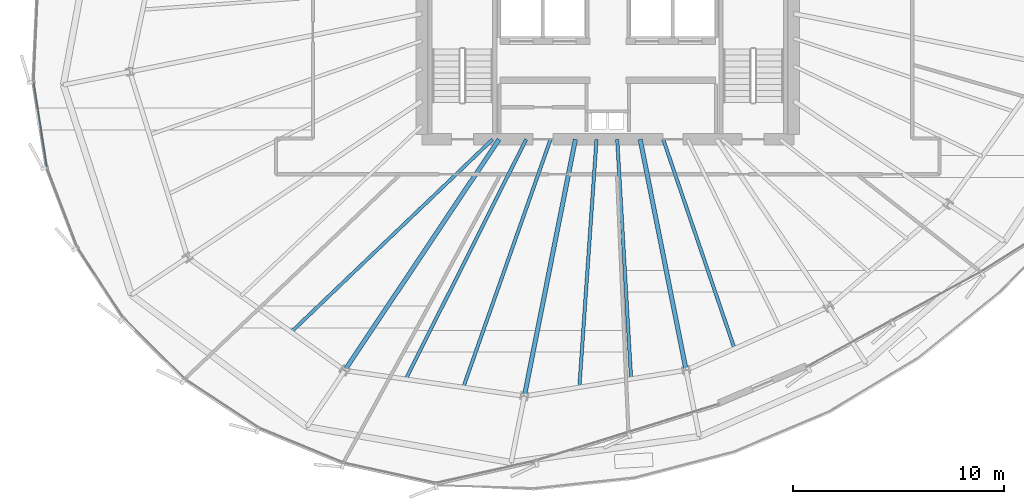
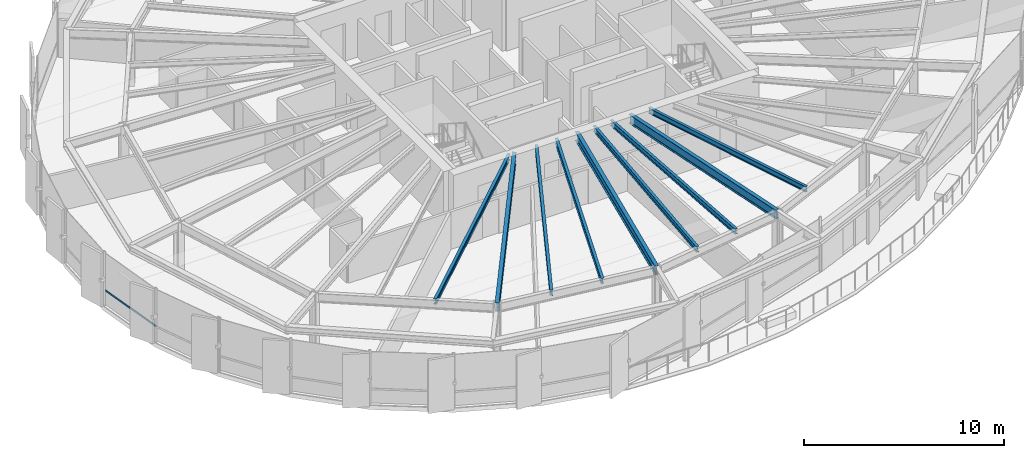
# One storey, part 7 of 36: 9 beams, 1 member, 1 element without a shape of its own.
"""IFC4 building model written with IfcOpenShell, lengths in metres."""

from ifc_helpers import new_model, si_unit, direction, frame, origin, origin_2d, place, context, subcontext, project, spatial, hollow_rectangle, i_section, extrude, source, transform, mapped, material, layer, layer_set, material_profile, profile_set, type_object, element, aggregate, save


model = new_model("IFC4")

# Units and contexts
model_context = context("Model", 3, precision=1e-05, world=origin(), true_north=direction((0.0, 1.0)))
body_context = subcontext(model_context, "Body", "Model", "MODEL_VIEW")
ifc_project = project(units=[si_unit("LENGTHUNIT", "METRE"), si_unit("AREAUNIT", "SQUARE_METRE"), si_unit("VOLUMEUNIT", "CUBIC_METRE"), si_unit("PLANEANGLEUNIT", "RADIAN"), si_unit("MASSUNIT", "GRAM", prefix="KILO"), si_unit("THERMODYNAMICTEMPERATUREUNIT", "KELVIN")], contexts=[model_context])

# Site, building, storey
site_placement = place(None, origin())
site = spatial("IfcSite", under=ifc_project, at=site_placement, CompositionType="ELEMENT")
building_placement = place(site_placement, origin())
building = spatial("IfcBuilding", under=site, at=building_placement, Name="Kethvar Cultural Tower", CompositionType="ELEMENT")
storey_placement = place(building_placement, frame((0.0, 0.0, 143.0)))
storey = spatial("IfcBuildingStorey", under=building, at=storey_placement, Name="L36", CompositionType="ELEMENT", Elevation=143.0)

# Beams
ifc_material_1 = material(Name="Steel S355J2", Category="steel")
ifc_material_profile_1 = material_profile(ifc_material_1, i_section(OverallWidth=0.2099609375, OverallDepth=0.550048828125, WebThickness=0.010986328125, FlangeThickness=0.01708984375, FilletRadius=0.02392578125, at=origin_2d()), Name="Steel S355J2 — IPE550")
ifc_profile_set_1 = profile_set([ifc_material_profile_1], Name="Steel S355J2 — IPE550")
beam_type_1 = type_object("IfcBeamType", Name="BM-IPE550", PredefinedType="BEAM", material=ifc_profile_set_1)
shared_shape_1 = source(origin(), body_context, "Body", "SweptSolid", [
    extrude(i_section(OverallWidth=0.2099609375, OverallDepth=0.550048828125, WebThickness=0.010986328125, FlangeThickness=0.01708984375, FilletRadius=0.02392578125, at=origin_2d()), origin(), (0.0, 0.0, 1.0), 13.147216796875),
])
beam_1_placement = place(storey_placement, frame((41.655029296875, 20.10009765625, 3.02294921875), z_axis=(-0.555565525446, -0.831472757783, 0.0), x_axis=(0.831472757783, -0.555565525446, 0.0)))
element("IfcBeam", 1, at=beam_1_placement, inside=storey, type_object=beam_type_1, Name="L36 Primary Radial Beam RB-11", PredefinedType="BEAM", context=body_context, shape_type="MappedRepresentation", body=[
    mapped(shared_shape_1, transform((0.0, 0.0, 0.0), scale=1.0)),
])
shared_shape_2 = source(origin(), body_context, "Body", "SweptSolid", [
    extrude(i_section(OverallWidth=0.2099609375, OverallDepth=0.550048828125, WebThickness=0.010986328125, FlangeThickness=0.01708984375, FilletRadius=0.02392578125, at=origin_2d()), origin(), (0.0, 0.0, 1.0), 12.384521484375),
])
beam_2_placement = place(storey_placement, frame((45.268310546875, 20.10009765625, 3.02294921875), z_axis=(-0.195084858678, -0.980786367113, 0.0), x_axis=(0.980786367113, -0.195084858678, 0.0)))
element("IfcBeam", 2, at=beam_2_placement, inside=storey, type_object=beam_type_1, Name="L36 Primary Radial Beam RB-12", PredefinedType="BEAM", context=body_context, shape_type="MappedRepresentation", body=[
    mapped(shared_shape_2, transform((0.0, 0.0, 0.0), scale=1.0)),
])
shared_shape_3 = source(origin(), body_context, "Body", "SweptSolid", [
    extrude(i_section(OverallWidth=0.2099609375, OverallDepth=0.550048828125, WebThickness=0.010986328125, FlangeThickness=0.01708984375, FilletRadius=0.02392578125, at=origin_2d()), origin(), (0.0, 0.0, 1.0), 11.131591796875),
])
beam_3_placement = place(storey_placement, frame((48.33154296875, 20.10009765625, 3.02294921875), z_axis=(0.195107998266, -0.980781764213, 0.0), x_axis=(0.980781764213, 0.195107998266, 0.0)))
element("IfcBeam", 3, at=beam_3_placement, inside=storey, type_object=beam_type_1, Name="L36 Primary Radial Beam RB-13", PredefinedType="BEAM", context=body_context, shape_type="MappedRepresentation", body=[
    mapped(shared_shape_3, transform((0.0, 0.0, 0.0), scale=1.0)),
])
ifc_material_profile_2 = material_profile(ifc_material_1, i_section(OverallWidth=0.159912109375, OverallDepth=0.330078125, WebThickness=0.007568359375, FlangeThickness=0.011474609375, FilletRadius=0.01806640625, at=origin_2d()), Name="Steel S355J2 — IPE330")
ifc_profile_set_2 = profile_set([ifc_material_profile_2], Name="Steel S355J2 — IPE330")
beam_type_2 = type_object("IfcBeamType", Name="BM-J330", PredefinedType="JOIST", material=ifc_profile_set_2)
shared_shape_4 = source(origin(), body_context, "Body", "SweptSolid", [
    extrude(i_section(OverallWidth=0.159912109375, OverallDepth=0.330078125, WebThickness=0.007568359375, FlangeThickness=0.011474609375, FilletRadius=0.01806640625, at=origin_2d()), origin(), (0.0, 0.0, 1.0), 13.1826171875),
])
beam_4_placement = place(storey_placement, frame((41.35009765625, 20.10009765625, 3.133056640625), z_axis=(-0.722573880181, -0.691293705801, 0.0), x_axis=(0.691293705801, -0.722573880181, 0.0)))
element("IfcBeam", 4, at=beam_4_placement, inside=storey, type_object=beam_type_2, Name="L36 Composite Floor Joist J-10B", PredefinedType="JOIST", context=body_context, shape_type="MappedRepresentation", body=[
    mapped(shared_shape_4, transform((0.0, 0.0, 0.0), scale=1.0)),
])
shared_shape_5 = source(origin(), body_context, "Body", "SweptSolid", [
    extrude(i_section(OverallWidth=0.159912109375, OverallDepth=0.330078125, WebThickness=0.007568359375, FlangeThickness=0.011474609375, FilletRadius=0.01806640625, at=origin_2d()), origin(), (0.0, 0.0, 1.0), 12.693603515625),
])
beam_5_placement = place(storey_placement, frame((42.935302734375, 20.10009765625, 3.133056640625), z_axis=(-0.448582495233, -0.893741430712, 0.0), x_axis=(0.893741430712, -0.448582495233, 0.0)))
element("IfcBeam", 5, at=beam_5_placement, inside=storey, type_object=beam_type_2, Name="L36 Composite Floor Joist J-11A", PredefinedType="JOIST", context=body_context, shape_type="MappedRepresentation", body=[
    mapped(shared_shape_5, transform((0.0, 0.0, 0.0), scale=1.0)),
])
shared_shape_6 = source(origin(), body_context, "Body", "SweptSolid", [
    extrude(i_section(OverallWidth=0.159912109375, OverallDepth=0.330078125, WebThickness=0.007568359375, FlangeThickness=0.011474609375, FilletRadius=0.01806640625, at=origin_2d()), origin(), (0.0, 0.0, 1.0), 12.4384765625),
])
beam_6_placement = place(storey_placement, frame((44.090576171875, 20.10009765625, 3.133056640625), z_axis=(-0.331923676994, -0.943306245421, 0.0), x_axis=(0.943306245421, -0.331923676994, 0.0)))
element("IfcBeam", 6, at=beam_6_placement, inside=storey, type_object=beam_type_2, Name="L36 Composite Floor Joist J-11B", PredefinedType="JOIST", context=body_context, shape_type="MappedRepresentation", body=[
    mapped(shared_shape_6, transform((0.0, 0.0, 0.0), scale=1.0)),
])
shared_shape_7 = source(origin(), body_context, "Body", "SweptSolid", [
    extrude(i_section(OverallWidth=0.159912109375, OverallDepth=0.330078125, WebThickness=0.007568359375, FlangeThickness=0.011474609375, FilletRadius=0.01806640625, at=origin_2d()), origin(), (0.0, 0.0, 1.0), 11.7568359375),
])
beam_7_placement = place(storey_placement, frame((46.266357421875, 20.10009765625, 3.133056640625), z_axis=(-0.069129203877, -0.997607715072, 0.0), x_axis=(0.997607715072, -0.069129203877, 0.0)))
element("IfcBeam", 7, at=beam_7_placement, inside=storey, type_object=beam_type_2, Name="L36 Composite Floor Joist J-12A", PredefinedType="JOIST", context=body_context, shape_type="MappedRepresentation", body=[
    mapped(shared_shape_7, transform((0.0, 0.0, 0.0), scale=1.0)),
])
shared_shape_8 = source(origin(), body_context, "Body", "SweptSolid", [
    extrude(i_section(OverallWidth=0.159912109375, OverallDepth=0.330078125, WebThickness=0.007568359375, FlangeThickness=0.011474609375, FilletRadius=0.01806640625, at=origin_2d()), origin(), (0.0, 0.0, 1.0), 11.354736328125),
])
beam_8_placement = place(storey_placement, frame((47.245849609375, 20.10009765625, 3.133056640625), z_axis=(0.057795585741, -0.998328438075, 0.0), x_axis=(0.998328438075, 0.057795585741, 0.0)))
element("IfcBeam", 8, at=beam_8_placement, inside=storey, type_object=beam_type_2, Name="L36 Composite Floor Joist J-12B", PredefinedType="JOIST", context=body_context, shape_type="MappedRepresentation", body=[
    mapped(shared_shape_8, transform((0.0, 0.0, 0.0), scale=1.0)),
])
shared_shape_9 = source(origin(), body_context, "Body", "SweptSolid", [
    extrude(i_section(OverallWidth=0.159912109375, OverallDepth=0.330078125, WebThickness=0.007568359375, FlangeThickness=0.011474609375, FilletRadius=0.01806640625, at=origin_2d()), origin(), (0.0, 0.0, 1.0), 10.45947265625),
])
beam_9_placement = place(storey_placement, frame((49.42236328125, 20.10009765625, 3.133056640625), z_axis=(0.322390188368, -0.94660687006, 0.0), x_axis=(0.94660687006, 0.322390188368, 0.0)))
element("IfcBeam", 9, at=beam_9_placement, inside=storey, type_object=beam_type_2, Name="L36 Composite Floor Joist J-13A", PredefinedType="JOIST", context=body_context, shape_type="MappedRepresentation", body=[
    mapped(shared_shape_9, transform((0.0, 0.0, 0.0), scale=1.0)),
])

# Curtain wall, member
ifc_material_2 = material(Name="Aluminium 6063-T6", Category="aluminium")
ifc_layer = layer(ifc_material_2, 0.179931640625, Name="Aluminium 6063-T6", Category="aluminium")
ifc_layer_set = layer_set([ifc_layer], Name="Aluminium 6063-T6 (180 mm)")
curtain_wall_type = type_object("IfcCurtainWallType", Name="CW-SYS-04-Z34", PredefinedType="NOTDEFINED", material=ifc_layer_set)
curtain_wall_placement = place(storey_placement, origin())
curtain_wall = element("IfcCurtainWall", 10, at=curtain_wall_placement, inside=storey, type_object=curtain_wall_type, Name="L36 Curtain Wall Run 03", PredefinedType="NOTDEFINED")
ifc_material_profile_3 = material_profile(ifc_material_2, hollow_rectangle(XDim=0.050048828125, YDim=0.10009765625, WallThickness=0.00390625, at=origin_2d()), Name="Aluminium 6063-T6 — RHS100x50x4")
ifc_profile_set_3 = profile_set([ifc_material_profile_3], Name="Aluminium 6063-T6 — RHS100x50x4")
member_type = type_object("IfcMemberType", Name="CW-SYS-04-Z34-TRN", PredefinedType="USERDEFINED", material=ifc_profile_set_3)
shared_shape_10 = source(origin(), body_context, "Body", "SweptSolid", [
    extrude(hollow_rectangle(XDim=0.050048828125, YDim=0.10009765625, WallThickness=0.00390625, at=origin_2d()), origin(), (0.0, 0.0, 1.0), 4.019287109375),
])
member_placement = place(storey_placement, frame((19.642333984375, 22.775390625, 0.949951171875), z_axis=(0.154708546685, -0.987960153843, 0.0), x_axis=(0.987960153843, 0.154708546685, 0.0)))
member = element("IfcMember", 11, at=member_placement, type_object=member_type, Name="CW-L36-R03 Transom 5", ObjectType="TRANSOM", PredefinedType="USERDEFINED", context=body_context, shape_type="MappedRepresentation", body=[
    mapped(shared_shape_10, transform((0.0, 0.0, 0.0), scale=1.0)),
])
aggregate(curtain_wall, [member])

save(model, "model.ifc")
